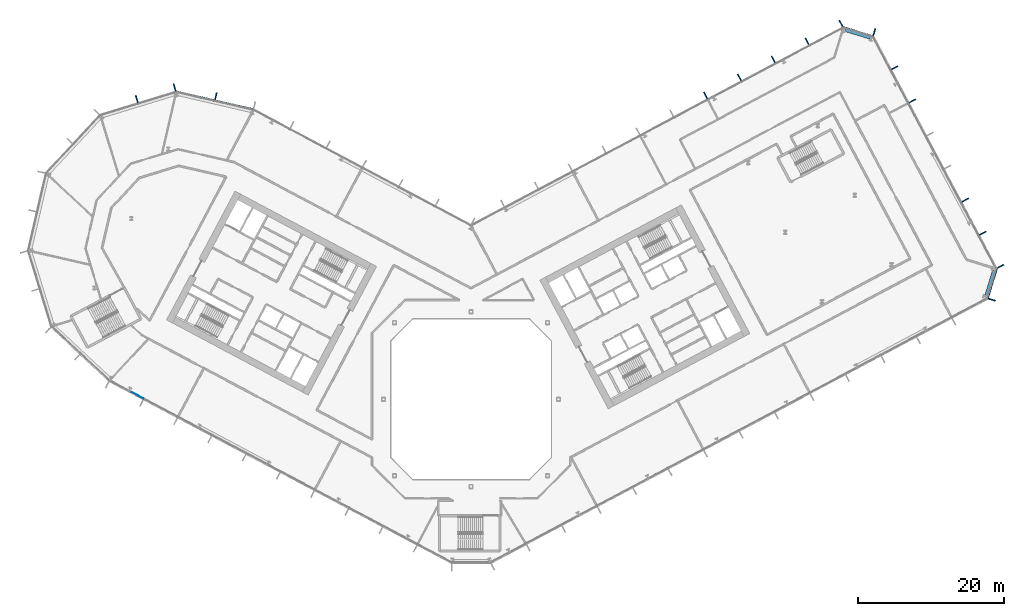
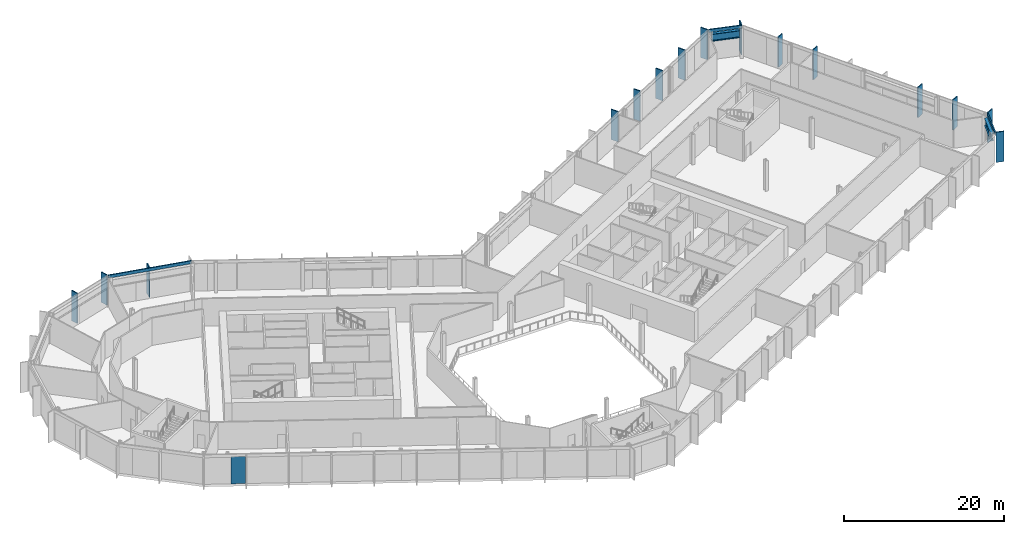
# One storey, part 9 of 31: 18 members, 2 beams, 1 plate, 7 elements without a shape of their own.
"""IFC4 building model written with IfcOpenShell, lengths in metres."""

from ifc_helpers import new_model, si_unit, direction, frame, origin, origin_2d, place, context, subcontext, project, spatial, rectangle, i_section, extrude, material, layer, layer_set, material_profile, profile_set, type_object, element, aggregate, save


model = new_model("IFC4")

# Units and contexts
model_context = context("Model", 3, precision=1e-05, world=origin(), true_north=direction((0.0, 1.0)))
body_context = subcontext(model_context, "Body", "Model", "MODEL_VIEW")
ifc_project = project(units=[si_unit("LENGTHUNIT", "METRE"), si_unit("AREAUNIT", "SQUARE_METRE"), si_unit("VOLUMEUNIT", "CUBIC_METRE"), si_unit("PLANEANGLEUNIT", "RADIAN"), si_unit("MASSUNIT", "GRAM", prefix="KILO")], contexts=[model_context])

# Site, building, storey
site_placement = place(None, origin())
site = spatial("IfcSite", under=ifc_project, at=site_placement, CompositionType="ELEMENT")
building_placement = place(site_placement, origin())
building = spatial("IfcBuilding", under=site, at=building_placement, Name="Cormorant Relay Tower", CompositionType="ELEMENT")
storey_placement = place(building_placement, frame((0.0, 0.0, 107.60009765625)))
storey = spatial("IfcBuildingStorey", under=building, at=storey_placement, Name="L21", CompositionType="ELEMENT", Elevation=107.60009765625)

# Curtain wall, member
ifc_material_1 = material(Name="Aluminium 6063-T6 anodised bronze", Category="aluminium")
ifc_layer_1 = layer(ifc_material_1, 0.199951171875)
ifc_layer_set_1 = layer_set([ifc_layer_1], Name="CW1 unitised bronze curtain wall with vertical fins")
curtain_wall_type = type_object("IfcCurtainWallType", Name="CW1 unitised bronze curtain wall with vertical fins", PredefinedType="NOTDEFINED", material=ifc_layer_set_1)
curtain_wall_1_placement = place(storey_placement, origin())
curtain_wall_1 = element("IfcCurtainWall", 1, at=curtain_wall_1_placement, inside=storey, type_object=curtain_wall_type, Name="CW1 curtain wall 3", PredefinedType="NOTDEFINED")
ifc_material_2 = material(Name="Aluminium 6063-T6 anodised bronze", Category="aluminium")
ifc_material_profile_1 = material_profile(ifc_material_2, rectangle(XDim=0.14990234375, YDim=1.0, at=origin_2d()), Name="AL 150x1000")
ifc_profile_set_1 = profile_set([ifc_material_profile_1], Name="Aluminium 6063-T6 anodised bronze")
member_type_1 = type_object("IfcMemberType", Name="CW1 bronze fin mullion 150 x 1000", PredefinedType="MULLION", material=ifc_profile_set_1)
member_1_placement = place(storey_placement, frame((71.45166015625, 13.64697265625, 0.0), z_axis=(0.0, 0.0, 1.0), x_axis=(0.292371704723, 0.956304755963, 0.0)))
member_1 = element("IfcMember", 2, at=member_1_placement, type_object=member_type_1, Name="CW1 fin 3.1", PredefinedType="MULLION", context=body_context, shape_type="SweptSolid", body=[
    extrude(rectangle(XDim=0.14990234375, YDim=1.0, at=origin_2d()), origin(), (0.0, 0.0, 1.0), 4.599853515625),
])

# Curtain wall, members
curtain_wall_2_placement = place(storey_placement, origin())
curtain_wall_2 = element("IfcCurtainWall", 3, at=curtain_wall_2_placement, inside=storey, type_object=curtain_wall_type, Name="CW1 curtain wall 4", PredefinedType="NOTDEFINED")
member_2_placement = place(storey_placement, frame((72.640869140625, 18.237548828125, 0.0), z_axis=(0.0, 0.0, 1.0), x_axis=(-0.469471562786, 0.882947592859, 0.0)))
member_2 = element("IfcMember", 4, at=member_2_placement, type_object=member_type_1, Name="CW1 fin 4.1", PredefinedType="MULLION", context=body_context, shape_type="SweptSolid", body=[
    extrude(rectangle(XDim=0.14990234375, YDim=1.0, at=origin_2d()), origin(), (0.0, 0.0, 1.0), 4.599853515625),
])
member_3_placement = place(storey_placement, frame((70.226318359375, 22.7783203125, 0.0), z_axis=(0.0, 0.0, 1.0), x_axis=(-0.469471562786, 0.882947592859, 0.0)))
member_3 = element("IfcMember", 5, at=member_3_placement, type_object=member_type_1, Name="CW1 fin 4.2", PredefinedType="MULLION", context=body_context, shape_type="SweptSolid", body=[
    extrude(rectangle(XDim=0.14990234375, YDim=1.0, at=origin_2d()), origin(), (0.0, 0.0, 1.0), 4.599853515625),
])
member_4_placement = place(storey_placement, frame((67.81201171875, 27.3193359375, 0.0), z_axis=(0.0, 0.0, 1.0), x_axis=(-0.469471562786, 0.882947592859, 0.0)))
member_4 = element("IfcMember", 6, at=member_4_placement, type_object=member_type_1, Name="CW1 fin 4.3", PredefinedType="MULLION", context=body_context, shape_type="SweptSolid", body=[
    extrude(rectangle(XDim=0.14990234375, YDim=1.0, at=origin_2d()), origin(), (0.0, 0.0, 1.0), 4.599853515625),
])
member_5_placement = place(storey_placement, frame((60.568603515625, 40.94189453125, 0.0), z_axis=(0.0, 0.0, 1.0), x_axis=(-0.469471562786, 0.882947592859, 0.0)))
member_5 = element("IfcMember", 7, at=member_5_placement, type_object=member_type_1, Name="CW1 fin 4.6", PredefinedType="MULLION", context=body_context, shape_type="SweptSolid", body=[
    extrude(rectangle(XDim=0.14990234375, YDim=1.0, at=origin_2d()), origin(), (0.0, 0.0, 1.0), 4.599853515625),
])
member_6_placement = place(storey_placement, frame((58.154296875, 45.48291015625, 0.0), z_axis=(0.0, 0.0, 1.0), x_axis=(-0.469471562786, 0.882947592859, 0.0)))
member_6 = element("IfcMember", 8, at=member_6_placement, type_object=member_type_1, Name="CW1 fin 4.7", PredefinedType="MULLION", context=body_context, shape_type="SweptSolid", body=[
    extrude(rectangle(XDim=0.14990234375, YDim=1.0, at=origin_2d()), origin(), (0.0, 0.0, 1.0), 4.599853515625),
])
aggregate(curtain_wall_2, [member_2, member_3, member_4, member_5, member_6])

# Curtain wall, member
curtain_wall_3_placement = place(storey_placement, origin())
curtain_wall_3 = element("IfcCurtainWall", 9, at=curtain_wall_3_placement, inside=storey, type_object=curtain_wall_type, Name="CW1 curtain wall 5", PredefinedType="NOTDEFINED")
member_7_placement = place(storey_placement, frame((55.326416015625, 50.364501953125, 0.0), z_axis=(0.0, 0.0, 1.0), x_axis=(-0.956304755963, 0.292371704723, 0.0)))
member_7 = element("IfcMember", 10, at=member_7_placement, type_object=member_type_1, Name="CW1 fin 5.1", PredefinedType="MULLION", context=body_context, shape_type="SweptSolid", body=[
    extrude(rectangle(XDim=0.14990234375, YDim=1.0, at=origin_2d()), origin(), (0.0, 0.0, 1.0), 4.599853515625),
])

# Curtain wall, members
curtain_wall_4_placement = place(storey_placement, origin())
curtain_wall_4 = element("IfcCurtainWall", 11, at=curtain_wall_4_placement, inside=storey, type_object=curtain_wall_type, Name="CW1 curtain wall 6", PredefinedType="NOTDEFINED")
member_8_placement = place(storey_placement, frame((50.73583984375, 51.553466796875, 0.0), z_axis=(0.0, 0.0, 1.0), x_axis=(-0.882947592859, -0.469471562786, 0.0)))
member_8 = element("IfcMember", 12, at=member_8_placement, type_object=member_type_1, Name="CW1 fin 6.1", PredefinedType="MULLION", context=body_context, shape_type="SweptSolid", body=[
    extrude(rectangle(XDim=0.14990234375, YDim=1.0, at=origin_2d()), origin(), (0.0, 0.0, 1.0), 4.599853515625),
])
member_9_placement = place(storey_placement, frame((46.093505859375, 49.085205078125, 0.0), z_axis=(0.0, 0.0, 1.0), x_axis=(-0.882947592859, -0.469471562786, 0.0)))
member_9 = element("IfcMember", 13, at=member_9_placement, type_object=member_type_1, Name="CW1 fin 6.2", PredefinedType="MULLION", context=body_context, shape_type="SweptSolid", body=[
    extrude(rectangle(XDim=0.14990234375, YDim=1.0, at=origin_2d()), origin(), (0.0, 0.0, 1.0), 4.599853515625),
])
member_10_placement = place(storey_placement, frame((41.451416015625, 46.616943359375, 0.0), z_axis=(0.0, 0.0, 1.0), x_axis=(-0.882947592859, -0.469471562786, 0.0)))
member_10 = element("IfcMember", 14, at=member_10_placement, type_object=member_type_1, Name="CW1 fin 6.3", PredefinedType="MULLION", context=body_context, shape_type="SweptSolid", body=[
    extrude(rectangle(XDim=0.14990234375, YDim=1.0, at=origin_2d()), origin(), (0.0, 0.0, 1.0), 4.599853515625),
])
member_11_placement = place(storey_placement, frame((36.80908203125, 44.148681640625, 0.0), z_axis=(0.0, 0.0, 1.0), x_axis=(-0.882947592859, -0.469471562786, 0.0)))
member_11 = element("IfcMember", 15, at=member_11_placement, type_object=member_type_1, Name="CW1 fin 6.4", PredefinedType="MULLION", context=body_context, shape_type="SweptSolid", body=[
    extrude(rectangle(XDim=0.14990234375, YDim=1.0, at=origin_2d()), origin(), (0.0, 0.0, 1.0), 4.599853515625),
])
member_12_placement = place(storey_placement, frame((32.1669921875, 41.68017578125, 0.0), z_axis=(0.0, 0.0, 1.0), x_axis=(-0.882947592859, -0.469471562786, 0.0)))
member_12 = element("IfcMember", 16, at=member_12_placement, type_object=member_type_1, Name="CW1 fin 6.5", PredefinedType="MULLION", context=body_context, shape_type="SweptSolid", body=[
    extrude(rectangle(XDim=0.14990234375, YDim=1.0, at=origin_2d()), origin(), (0.0, 0.0, 1.0), 4.599853515625),
])
aggregate(curtain_wall_4, [member_8, member_9, member_10, member_11, member_12])

# Curtain wall, member
curtain_wall_5_placement = place(storey_placement, origin())
curtain_wall_5 = element("IfcCurtainWall", 17, at=curtain_wall_5_placement, inside=storey, type_object=curtain_wall_type, Name="CW1 curtain wall 8", PredefinedType="NOTDEFINED")
member_13_placement = place(storey_placement, frame((-35.01220703125, 41.57275390625, 0.0), z_axis=(0.0, 0.0, 1.0), x_axis=(-0.974370064785, 0.224951054344, 0.0)))
member_13 = element("IfcMember", 18, at=member_13_placement, type_object=member_type_1, Name="CW1 fin 8.2", PredefinedType="MULLION", context=body_context, shape_type="SweptSolid", body=[
    extrude(rectangle(XDim=0.14990234375, YDim=1.0, at=origin_2d()), origin(), (0.0, 0.0, 1.0), 4.599853515625),
])

# Curtain wall, members
curtain_wall_6_placement = place(storey_placement, origin())
curtain_wall_6 = element("IfcCurtainWall", 19, at=curtain_wall_6_placement, inside=storey, type_object=curtain_wall_type, Name="CW1 curtain wall 9", PredefinedType="NOTDEFINED")
member_14_placement = place(storey_placement, frame((-40.670166015625, 42.78271484375, 0.0), z_axis=(0.0, 0.0, 1.0), x_axis=(-0.956304755963, -0.292371704723, 0.0)))
member_14 = element("IfcMember", 20, at=member_14_placement, type_object=member_type_1, Name="CW1 fin 9.1", PredefinedType="MULLION", context=body_context, shape_type="SweptSolid", body=[
    extrude(rectangle(XDim=0.14990234375, YDim=1.0, at=origin_2d()), origin(), (0.0, 0.0, 1.0), 4.599853515625),
])
member_15_placement = place(storey_placement, frame((-45.867919921875, 41.193603515625, 0.0), z_axis=(0.0, 0.0, 1.0), x_axis=(-0.956304755963, -0.292371704723, 0.0)))
member_15 = element("IfcMember", 21, at=member_15_placement, type_object=member_type_1, Name="CW1 fin 9.2", PredefinedType="MULLION", context=body_context, shape_type="SweptSolid", body=[
    extrude(rectangle(XDim=0.14990234375, YDim=1.0, at=origin_2d()), origin(), (0.0, 0.0, 1.0), 4.599853515625),
])
aggregate(curtain_wall_6, [member_14, member_15])

# Member
ifc_material_3 = material(Name="Aluminium 6063-T6 anodised bronze", Category="aluminium")
ifc_material_profile_2 = material_profile(ifc_material_3, rectangle(XDim=0.159912109375, YDim=0.449951171875, at=origin_2d()), Name="AL 160x450")
ifc_profile_set_2 = profile_set([ifc_material_profile_2], Name="Aluminium 6063-T6 anodised bronze")
member_type_2 = type_object("IfcMemberType", Name="CW1 bronze transom 160 x 450", PredefinedType="USERDEFINED", material=ifc_profile_set_2)
member_16_placement = place(storey_placement, frame((70.89697265625, 13.816650390625, 4.375), z_axis=(0.292391046905, 0.95629884225, 0.0), x_axis=(-0.95629884225, 0.292391046905, 0.0)))
member_16 = element("IfcMember", 22, at=member_16_placement, type_object=member_type_2, Name="CW1 transom 3", ObjectType="TRANSOM", PredefinedType="USERDEFINED", context=body_context, shape_type="SweptSolid", body=[
    extrude(rectangle(XDim=0.159912109375, YDim=0.449951171875, at=origin_2d()), origin(), (0.0, 0.0, 1.0), 4.242431640625),
])

aggregate(curtain_wall_1, [member_1, member_16])

member_17_placement = place(storey_placement, frame((55.15673828125, 49.809814453125, 4.375), z_axis=(-0.95629884225, 0.292391046905, 0.0), x_axis=(-0.292391046905, -0.95629884225, 0.0)))
member_17 = element("IfcMember", 23, at=member_17_placement, type_object=member_type_2, Name="CW1 transom 5", ObjectType="TRANSOM", PredefinedType="USERDEFINED", context=body_context, shape_type="SweptSolid", body=[
    extrude(rectangle(XDim=0.159912109375, YDim=0.449951171875, at=origin_2d()), origin(), (0.0, 0.0, 1.0), 4.242431640625),
])

aggregate(curtain_wall_3, [member_7, member_17])

member_18_placement = place(storey_placement, frame((-29.8466796875, 39.784912109375, 4.375), z_axis=(-0.974365070969, 0.224972683844, 0.0), x_axis=(-0.224972683844, -0.974365070969, 0.0)))
member_18 = element("IfcMember", 24, at=member_18_placement, type_object=member_type_2, Name="CW1 transom 8", ObjectType="TRANSOM", PredefinedType="USERDEFINED", context=body_context, shape_type="SweptSolid", body=[
    extrude(rectangle(XDim=0.159912109375, YDim=0.449951171875, at=origin_2d()), origin(), (0.0, 0.0, 1.0), 10.870361328125),
])

aggregate(curtain_wall_5, [member_13, member_18])

# Beams
ifc_material_4 = material(Name="Steel ASTM A992 (Fy 345 MPa)", Category="steel")
ifc_material_profile_3 = material_profile(ifc_material_4, i_section(OverallWidth=0.40380859375, OverallDepth=1.11767578125, WebThickness=0.026123046875, FlangeThickness=0.044921875, FilletRadius=0.02001953125, at=origin_2d()), Name="W1100x499")
ifc_profile_set_3 = profile_set([ifc_material_profile_3], Name="Steel ASTM A992 (Fy 345 MPa)")
beam_type = type_object("IfcBeamType", Name="Spandrel W1100x499", PredefinedType="SPANDREL", material=ifc_profile_set_3)
for number, where, z_axis, x_axis, name in (
    (25, (70.6943359375, 14.255126953125, 3.591064453125), (0.292423449705, 0.956288934403, 0.0), (-0.956288934403, 0.292423449705, 0.0), "Spandrel beam L21-003"),
    (26, (54.718017578125, 49.607421875, 3.591064453125), (-0.956308047674, 0.292360937806, 0.0), (-0.292360937806, -0.956308047674, 0.0), "Spandrel beam L21-005"),
):
    element("IfcBeam", number, at=place(storey_placement, frame(where, z_axis=z_axis, x_axis=x_axis)), inside=storey, type_object=beam_type, Name=name, PredefinedType="SPANDREL", context=body_context, shape_type="SweptSolid", body=[
        extrude(i_section(OverallWidth=0.40380859375, OverallDepth=1.11767578125, WebThickness=0.026123046875, FlangeThickness=0.044921875, FilletRadius=0.02001953125, at=origin_2d()), origin(), (0.0, 0.0, 1.0), 3.571533203125),
    ])

# Curtain wall, plate
curtain_wall_7_placement = place(storey_placement, origin())
curtain_wall_7 = element("IfcCurtainWall", 27, at=curtain_wall_7_placement, inside=storey, type_object=curtain_wall_type, Name="CW1 curtain wall 14", PredefinedType="NOTDEFINED")
ifc_material_5 = material(Name="Tinted laminated glass", Category="glass")
ifc_layer_2 = layer(ifc_material_5, 0.0400390625)
ifc_layer_set_2 = layer_set([ifc_layer_2], Name="CW1 tinted vision panel 1800 module")
plate_type = type_object("IfcPlateType", Name="CW1 tinted vision panel 1800 module", PredefinedType="CURTAIN_PANEL", material=ifc_layer_set_2)
plate_placement = place(storey_placement, frame((-45.767578125, 0.5283203125, 0.0), z_axis=(0.0, 0.0, 1.0), x_axis=(0.882947592859, -0.469471562786, 0.0)))
plate = element("IfcPlate", 28, at=plate_placement, type_object=plate_type, Name="CW1 panel V01", PredefinedType="CURTAIN_PANEL", context=body_context, shape_type="SweptSolid", body=[
    extrude(rectangle(XDim=1.800048828125, YDim=0.0400390625, at=origin_2d()), origin(), (0.0, 0.0, 1.0), 4.14990234375),
])
aggregate(curtain_wall_7, [plate])

save(model, "model.ifc")
